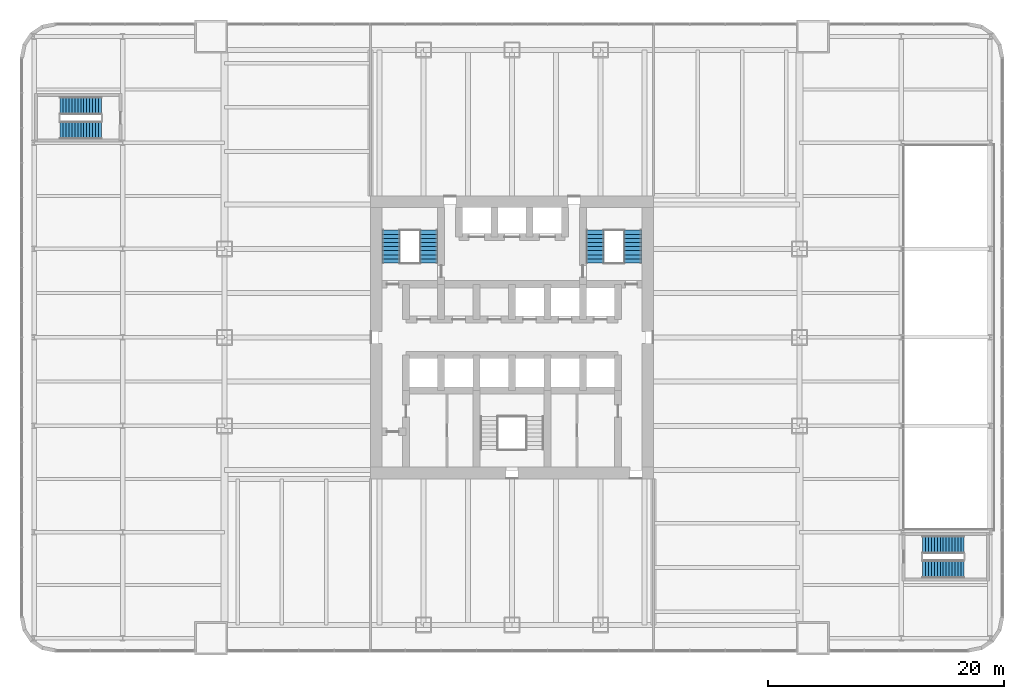
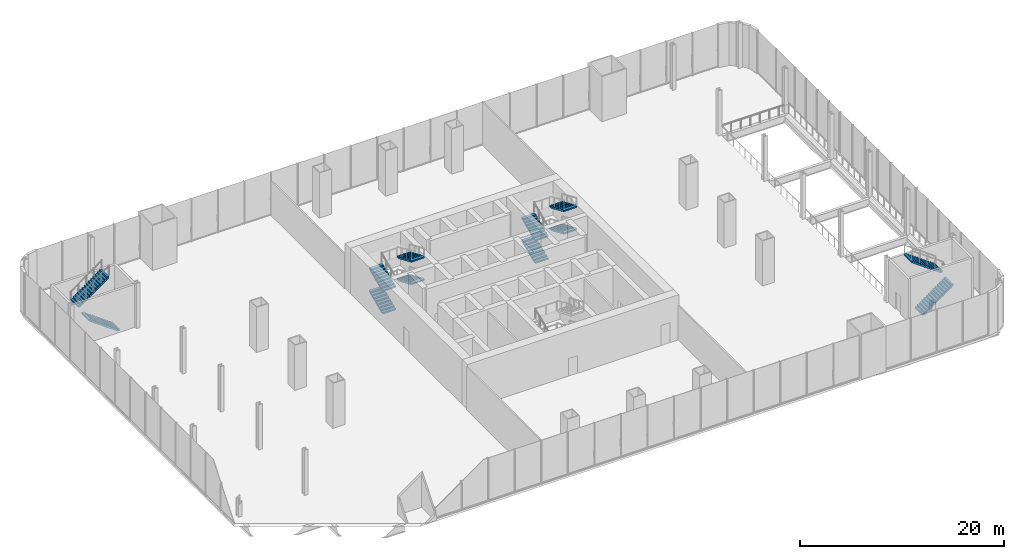
# One storey, part 14 of 16: 12 stair flights, 4 elements without a shape of their own.
"""IFC4 building model written with IfcOpenShell, lengths in metres."""

from ifc_helpers import new_model, si_unit, direction, frame, origin, place, context, subcontext, project, spatial, polyline, outline, extrude, material, type_object, element, aggregate, save


model = new_model("IFC4")

# Units and contexts
model_context = context("Model", 3, precision=1e-05, world=origin(), true_north=direction((0.0, 1.0)))
body_context = subcontext(model_context, "Body", "Model", "MODEL_VIEW")
ifc_project = project(units=[si_unit("LENGTHUNIT", "METRE"), si_unit("AREAUNIT", "SQUARE_METRE"), si_unit("VOLUMEUNIT", "CUBIC_METRE"), si_unit("PLANEANGLEUNIT", "RADIAN"), si_unit("MASSUNIT", "GRAM", prefix="KILO")], contexts=[model_context])

# Site, building, storey
site_placement = place(None, origin())
site = spatial("IfcSite", under=ifc_project, at=site_placement, CompositionType="ELEMENT")
building_placement = place(site_placement, origin())
building = spatial("IfcBuilding", under=site, at=building_placement, Name="Tarangal Relay Tower", CompositionType="ELEMENT")
storey_placement = place(building_placement, frame((0.0, 0.0, 12.60009765625)))
storey = spatial("IfcBuildingStorey", under=building, at=storey_placement, Name="L02", CompositionType="ELEMENT", Elevation=12.60009765625)

# Stair, stair flights
ifc_material = material(Name="Steel ASTM A992 stair flight", Category="steel")
stair_type_1 = type_object("IfcStairType", Name="Podium stair 1500", PredefinedType="HALF_TURN_STAIR", material=ifc_material)
stair_1_placement = place(storey_placement, origin())
stair_1 = element("IfcStair", 1, at=stair_1_placement, inside=storey, type_object=stair_type_1, Name="Stair ST-D L02", PredefinedType="HALF_TURN_STAIR")
stair_flight_type_1 = type_object("IfcStairFlightType", Name="Steel stair flight 1500, 15 risers 180 x 250", PredefinedType="STRAIGHT", material=ifc_material)
stair_flight_1_placement = place(storey_placement, frame((-34.800048828125, 17.550048828125, 0.0), z_axis=(0.0, 0.0, 1.0), x_axis=(-1.0, 0.0, 0.0)))
stair_flight_1 = element("IfcStairFlight", 2, at=stair_flight_1_placement, type_object=stair_flight_type_1, Name="ST-D flight 1", NumberOfRisers=15, NumberOfTreads=14, PredefinedType="STRAIGHT", RiserHeight=0.18, TreadLength=0.25, context=body_context, shape_type="SweptSolid", body=[
    extrude(outline(polyline([(0.0, 0.0), (0.0, 0.179931640625), (0.25, 0.179931640625), (0.25, 0.360107421875), (0.5, 0.360107421875), (0.5, 0.5400390625), (0.75, 0.5400390625), (0.75, 0.719970703125), (1.0, 0.719970703125), (1.0, 0.89990234375), (1.25, 0.89990234375), (1.25, 1.080078125), (1.5, 1.080078125), (1.5, 1.260009765625), (1.75, 1.260009765625), (1.75, 1.43994140625), (2.0, 1.43994140625), (2.0, 1.6201171875), (2.25, 1.6201171875), (2.25, 1.800048828125), (2.5, 1.800048828125), (2.5, 1.97998046875), (2.75, 1.97998046875), (2.75, 2.159912109375), (3.0, 2.159912109375), (3.0, 2.340087890625), (3.25, 2.340087890625), (3.25, 2.52001953125), (3.5, 2.52001953125), (3.5, 2.699951171875), (3.5, 2.335205078125), (0.256591796875, 0.0), (0.0, 0.0)])), frame((0.0, 0.75, 0.0), z_axis=(0.0, -1.0, 0.0), x_axis=(1.0, 0.0, 0.0)), (0.0, 0.0, 1.0), 1.5),
])
stair_flight_2_placement = place(storey_placement, frame((-38.300048828125, 19.64990234375, 2.699951171875), z_axis=(0.0, 0.0, 1.0), x_axis=(1.0, 0.0, 0.0)))
stair_flight_2 = element("IfcStairFlight", 3, at=stair_flight_2_placement, type_object=stair_flight_type_1, Name="ST-D flight 2", NumberOfRisers=15, NumberOfTreads=14, PredefinedType="STRAIGHT", RiserHeight=0.18, TreadLength=0.25, context=body_context, shape_type="SweptSolid", body=[
    extrude(outline(polyline([(0.0, 0.0), (0.0, 0.179931640625), (0.25, 0.179931640625), (0.25, 0.360107421875), (0.5, 0.360107421875), (0.5, 0.5400390625), (0.75, 0.5400390625), (0.75, 0.719970703125), (1.0, 0.719970703125), (1.0, 0.89990234375), (1.25, 0.89990234375), (1.25, 1.080078125), (1.5, 1.080078125), (1.5, 1.260009765625), (1.75, 1.260009765625), (1.75, 1.43994140625), (2.0, 1.43994140625), (2.0, 1.6201171875), (2.25, 1.6201171875), (2.25, 1.800048828125), (2.5, 1.800048828125), (2.5, 1.97998046875), (2.75, 1.97998046875), (2.75, 2.159912109375), (3.0, 2.159912109375), (3.0, 2.340087890625), (3.25, 2.340087890625), (3.25, 2.52001953125), (3.5, 2.52001953125), (3.5, 2.699951171875), (3.5, 2.335205078125), (0.256591796875, 0.0), (0.0, 0.0)])), frame((0.0, 0.75, 0.0), z_axis=(0.0, -1.0, 0.0), x_axis=(1.0, 0.0, 0.0)), (0.0, 0.0, 1.0), 1.5),
])
aggregate(stair_1, [stair_flight_1, stair_flight_2])

stair_2_placement = place(storey_placement, origin())
stair_2 = element("IfcStair", 4, at=stair_2_placement, inside=storey, type_object=stair_type_1, Name="Stair ST-E L02", PredefinedType="HALF_TURN_STAIR")
stair_flight_3_placement = place(storey_placement, frame((34.800048828125, -19.64990234375, 0.0), z_axis=(0.0, 0.0, 1.0), x_axis=(1.0, 0.0, 0.0)))
stair_flight_3 = element("IfcStairFlight", 5, at=stair_flight_3_placement, type_object=stair_flight_type_1, Name="ST-E flight 1", NumberOfRisers=15, NumberOfTreads=14, PredefinedType="STRAIGHT", RiserHeight=0.18, TreadLength=0.25, context=body_context, shape_type="SweptSolid", body=[
    extrude(outline(polyline([(0.0, 0.0), (0.0, 0.179931640625), (0.25, 0.179931640625), (0.25, 0.360107421875), (0.5, 0.360107421875), (0.5, 0.5400390625), (0.75, 0.5400390625), (0.75, 0.719970703125), (1.0, 0.719970703125), (1.0, 0.89990234375), (1.25, 0.89990234375), (1.25, 1.080078125), (1.5, 1.080078125), (1.5, 1.260009765625), (1.75, 1.260009765625), (1.75, 1.43994140625), (2.0, 1.43994140625), (2.0, 1.6201171875), (2.25, 1.6201171875), (2.25, 1.800048828125), (2.5, 1.800048828125), (2.5, 1.97998046875), (2.75, 1.97998046875), (2.75, 2.159912109375), (3.0, 2.159912109375), (3.0, 2.340087890625), (3.25, 2.340087890625), (3.25, 2.52001953125), (3.5, 2.52001953125), (3.5, 2.699951171875), (3.5, 2.335205078125), (0.256591796875, 0.0), (0.0, 0.0)])), frame((0.0, 0.75, 0.0), z_axis=(0.0, -1.0, 0.0), x_axis=(1.0, 0.0, 0.0)), (0.0, 0.0, 1.0), 1.5),
])
stair_flight_4_placement = place(storey_placement, frame((38.300048828125, -17.550048828125, 2.699951171875), z_axis=(0.0, 0.0, 1.0), x_axis=(-1.0, 0.0, 0.0)))
stair_flight_4 = element("IfcStairFlight", 6, at=stair_flight_4_placement, type_object=stair_flight_type_1, Name="ST-E flight 2", NumberOfRisers=15, NumberOfTreads=14, PredefinedType="STRAIGHT", RiserHeight=0.18, TreadLength=0.25, context=body_context, shape_type="SweptSolid", body=[
    extrude(outline(polyline([(0.0, 0.0), (0.0, 0.179931640625), (0.25, 0.179931640625), (0.25, 0.360107421875), (0.5, 0.360107421875), (0.5, 0.5400390625), (0.75, 0.5400390625), (0.75, 0.719970703125), (1.0, 0.719970703125), (1.0, 0.89990234375), (1.25, 0.89990234375), (1.25, 1.080078125), (1.5, 1.080078125), (1.5, 1.260009765625), (1.75, 1.260009765625), (1.75, 1.43994140625), (2.0, 1.43994140625), (2.0, 1.6201171875), (2.25, 1.6201171875), (2.25, 1.800048828125), (2.5, 1.800048828125), (2.5, 1.97998046875), (2.75, 1.97998046875), (2.75, 2.159912109375), (3.0, 2.159912109375), (3.0, 2.340087890625), (3.25, 2.340087890625), (3.25, 2.52001953125), (3.5, 2.52001953125), (3.5, 2.699951171875), (3.5, 2.335205078125), (0.256591796875, 0.0), (0.0, 0.0)])), frame((0.0, 0.75, 0.0), z_axis=(0.0, -1.0, 0.0), x_axis=(1.0, 0.0, 0.0)), (0.0, 0.0, 1.0), 1.5),
])
aggregate(stair_2, [stair_flight_3, stair_flight_4])

stair_type_2 = type_object("IfcStairType", Name="Core stair 1500", PredefinedType="HALF_TURN_STAIR", material=ifc_material)
stair_3_placement = place(storey_placement, origin())
stair_3 = element("IfcStair", 7, at=stair_3_placement, inside=storey, type_object=stair_type_2, Name="Stair ST-A L02", PredefinedType="HALF_TURN_STAIR")
stair_flight_type_2 = type_object("IfcStairFlightType", Name="Steel stair flight 1500, 9 risers 150 x 348", PredefinedType="STRAIGHT", material=ifc_material)
stair_flight_5_placement = place(storey_placement, frame((-10.25, 6.300048828125, 0.0), z_axis=(0.0, 0.0, 1.0), x_axis=(0.0, 1.0, 0.0)))
stair_flight_5 = element("IfcStairFlight", 8, at=stair_flight_5_placement, type_object=stair_flight_type_2, Name="ST-A flight 1", NumberOfRisers=9, NumberOfTreads=8, PredefinedType="STRAIGHT", RiserHeight=0.15, TreadLength=0.348, context=body_context, shape_type="SweptSolid", body=[
    extrude(outline(polyline([(0.0, 0.0), (0.0, 0.14990234375), (0.347900390625, 0.14990234375), (0.347900390625, 0.300048828125), (0.696044921875, 0.300048828125), (0.696044921875, 0.449951171875), (1.0439453125, 0.449951171875), (1.0439453125, 0.60009765625), (1.39208984375, 0.60009765625), (1.39208984375, 0.75), (1.739990234375, 0.75), (1.739990234375, 0.89990234375), (2.087890625, 0.89990234375), (2.087890625, 1.050048828125), (2.43603515625, 1.050048828125), (2.43603515625, 1.199951171875), (2.783935546875, 1.199951171875), (2.783935546875, 1.35009765625), (2.783935546875, 1.036865234375), (0.378662109375, 0.0), (0.0, 0.0)])), frame((0.0, 0.75, 0.0), z_axis=(0.0, -1.0, 0.0), x_axis=(1.0, 0.0, 0.0)), (0.0, 0.0, 1.0), 1.5),
])
stair_flight_6_placement = place(storey_placement, frame((-7.050048828125, 9.083984375, 1.349853515625), z_axis=(0.0, 0.0, 1.0), x_axis=(0.0, -1.0, 0.0)))
stair_flight_6 = element("IfcStairFlight", 9, at=stair_flight_6_placement, type_object=stair_flight_type_2, Name="ST-A flight 2", NumberOfRisers=9, NumberOfTreads=8, PredefinedType="STRAIGHT", RiserHeight=0.15, TreadLength=0.348, context=body_context, shape_type="SweptSolid", body=[
    extrude(outline(polyline([(0.0, 0.0), (0.0, 0.14990234375), (0.347900390625, 0.14990234375), (0.347900390625, 0.300048828125), (0.696044921875, 0.300048828125), (0.696044921875, 0.449951171875), (1.0439453125, 0.449951171875), (1.0439453125, 0.60009765625), (1.39208984375, 0.60009765625), (1.39208984375, 0.75), (1.739990234375, 0.75), (1.739990234375, 0.89990234375), (2.087890625, 0.89990234375), (2.087890625, 1.050048828125), (2.43603515625, 1.050048828125), (2.43603515625, 1.199951171875), (2.783935546875, 1.199951171875), (2.783935546875, 1.35009765625), (2.783935546875, 1.036865234375), (0.378662109375, 0.0), (0.0, 0.0)])), frame((0.0, 0.75, 0.0), z_axis=(0.0, -1.0, 0.0), x_axis=(1.0, 0.0, 0.0)), (0.0, 0.0, 1.0), 1.5),
])
stair_flight_7_placement = place(storey_placement, frame((-10.25, 6.300048828125, 2.699951171875), z_axis=(0.0, 0.0, 1.0), x_axis=(0.0, 1.0, 0.0)))
stair_flight_7 = element("IfcStairFlight", 10, at=stair_flight_7_placement, type_object=stair_flight_type_2, Name="ST-A flight 3", NumberOfRisers=9, NumberOfTreads=8, PredefinedType="STRAIGHT", RiserHeight=0.15, TreadLength=0.348, context=body_context, shape_type="SweptSolid", body=[
    extrude(outline(polyline([(0.0, 0.0), (0.0, 0.14990234375), (0.347900390625, 0.14990234375), (0.347900390625, 0.300048828125), (0.696044921875, 0.300048828125), (0.696044921875, 0.449951171875), (1.0439453125, 0.449951171875), (1.0439453125, 0.60009765625), (1.39208984375, 0.60009765625), (1.39208984375, 0.75), (1.739990234375, 0.75), (1.739990234375, 0.89990234375), (2.087890625, 0.89990234375), (2.087890625, 1.050048828125), (2.43603515625, 1.050048828125), (2.43603515625, 1.199951171875), (2.783935546875, 1.199951171875), (2.783935546875, 1.35009765625), (2.783935546875, 1.036865234375), (0.378662109375, 0.0), (0.0, 0.0)])), frame((0.0, 0.75, 0.0), z_axis=(0.0, -1.0, 0.0), x_axis=(1.0, 0.0, 0.0)), (0.0, 0.0, 1.0), 1.5),
])
stair_flight_8_placement = place(storey_placement, frame((-7.050048828125, 9.083984375, 4.0498046875), z_axis=(0.0, 0.0, 1.0), x_axis=(0.0, -1.0, 0.0)))
stair_flight_8 = element("IfcStairFlight", 11, at=stair_flight_8_placement, type_object=stair_flight_type_2, Name="ST-A flight 4", NumberOfRisers=9, NumberOfTreads=8, PredefinedType="STRAIGHT", RiserHeight=0.15, TreadLength=0.348, context=body_context, shape_type="SweptSolid", body=[
    extrude(outline(polyline([(0.0, 0.0), (0.0, 0.14990234375), (0.347900390625, 0.14990234375), (0.347900390625, 0.300048828125), (0.696044921875, 0.300048828125), (0.696044921875, 0.449951171875), (1.0439453125, 0.449951171875), (1.0439453125, 0.60009765625), (1.39208984375, 0.60009765625), (1.39208984375, 0.75), (1.739990234375, 0.75), (1.739990234375, 0.89990234375), (2.087890625, 0.89990234375), (2.087890625, 1.050048828125), (2.43603515625, 1.050048828125), (2.43603515625, 1.199951171875), (2.783935546875, 1.199951171875), (2.783935546875, 1.35009765625), (2.783935546875, 1.036865234375), (0.378662109375, 0.0), (0.0, 0.0)])), frame((0.0, 0.75, 0.0), z_axis=(0.0, -1.0, 0.0), x_axis=(1.0, 0.0, 0.0)), (0.0, 0.0, 1.0), 1.5),
])
aggregate(stair_3, [stair_flight_5, stair_flight_6, stair_flight_7, stair_flight_8])

stair_4_placement = place(storey_placement, origin())
stair_4 = element("IfcStair", 12, at=stair_4_placement, inside=storey, type_object=stair_type_2, Name="Stair ST-B L02", PredefinedType="HALF_TURN_STAIR")
stair_flight_9_placement = place(storey_placement, frame((7.050048828125, 6.300048828125, 0.0), z_axis=(0.0, 0.0, 1.0), x_axis=(0.0, 1.0, 0.0)))
stair_flight_9 = element("IfcStairFlight", 13, at=stair_flight_9_placement, type_object=stair_flight_type_2, Name="ST-B flight 1", NumberOfRisers=9, NumberOfTreads=8, PredefinedType="STRAIGHT", RiserHeight=0.15, TreadLength=0.348, context=body_context, shape_type="SweptSolid", body=[
    extrude(outline(polyline([(0.0, 0.0), (0.0, 0.14990234375), (0.347900390625, 0.14990234375), (0.347900390625, 0.300048828125), (0.696044921875, 0.300048828125), (0.696044921875, 0.449951171875), (1.0439453125, 0.449951171875), (1.0439453125, 0.60009765625), (1.39208984375, 0.60009765625), (1.39208984375, 0.75), (1.739990234375, 0.75), (1.739990234375, 0.89990234375), (2.087890625, 0.89990234375), (2.087890625, 1.050048828125), (2.43603515625, 1.050048828125), (2.43603515625, 1.199951171875), (2.783935546875, 1.199951171875), (2.783935546875, 1.35009765625), (2.783935546875, 1.036865234375), (0.378662109375, 0.0), (0.0, 0.0)])), frame((0.0, 0.75, 0.0), z_axis=(0.0, -1.0, 0.0), x_axis=(1.0, 0.0, 0.0)), (0.0, 0.0, 1.0), 1.5),
])
stair_flight_10_placement = place(storey_placement, frame((10.25, 9.083984375, 1.349853515625), z_axis=(0.0, 0.0, 1.0), x_axis=(0.0, -1.0, 0.0)))
stair_flight_10 = element("IfcStairFlight", 14, at=stair_flight_10_placement, type_object=stair_flight_type_2, Name="ST-B flight 2", NumberOfRisers=9, NumberOfTreads=8, PredefinedType="STRAIGHT", RiserHeight=0.15, TreadLength=0.348, context=body_context, shape_type="SweptSolid", body=[
    extrude(outline(polyline([(0.0, 0.0), (0.0, 0.14990234375), (0.347900390625, 0.14990234375), (0.347900390625, 0.300048828125), (0.696044921875, 0.300048828125), (0.696044921875, 0.449951171875), (1.0439453125, 0.449951171875), (1.0439453125, 0.60009765625), (1.39208984375, 0.60009765625), (1.39208984375, 0.75), (1.739990234375, 0.75), (1.739990234375, 0.89990234375), (2.087890625, 0.89990234375), (2.087890625, 1.050048828125), (2.43603515625, 1.050048828125), (2.43603515625, 1.199951171875), (2.783935546875, 1.199951171875), (2.783935546875, 1.35009765625), (2.783935546875, 1.036865234375), (0.378662109375, 0.0), (0.0, 0.0)])), frame((0.0, 0.75, 0.0), z_axis=(0.0, -1.0, 0.0), x_axis=(1.0, 0.0, 0.0)), (0.0, 0.0, 1.0), 1.5),
])
stair_flight_11_placement = place(storey_placement, frame((7.050048828125, 6.300048828125, 2.699951171875), z_axis=(0.0, 0.0, 1.0), x_axis=(0.0, 1.0, 0.0)))
stair_flight_11 = element("IfcStairFlight", 15, at=stair_flight_11_placement, type_object=stair_flight_type_2, Name="ST-B flight 3", NumberOfRisers=9, NumberOfTreads=8, PredefinedType="STRAIGHT", RiserHeight=0.15, TreadLength=0.348, context=body_context, shape_type="SweptSolid", body=[
    extrude(outline(polyline([(0.0, 0.0), (0.0, 0.14990234375), (0.347900390625, 0.14990234375), (0.347900390625, 0.300048828125), (0.696044921875, 0.300048828125), (0.696044921875, 0.449951171875), (1.0439453125, 0.449951171875), (1.0439453125, 0.60009765625), (1.39208984375, 0.60009765625), (1.39208984375, 0.75), (1.739990234375, 0.75), (1.739990234375, 0.89990234375), (2.087890625, 0.89990234375), (2.087890625, 1.050048828125), (2.43603515625, 1.050048828125), (2.43603515625, 1.199951171875), (2.783935546875, 1.199951171875), (2.783935546875, 1.35009765625), (2.783935546875, 1.036865234375), (0.378662109375, 0.0), (0.0, 0.0)])), frame((0.0, 0.75, 0.0), z_axis=(0.0, -1.0, 0.0), x_axis=(1.0, 0.0, 0.0)), (0.0, 0.0, 1.0), 1.5),
])
stair_flight_12_placement = place(storey_placement, frame((10.25, 9.083984375, 4.0498046875), z_axis=(0.0, 0.0, 1.0), x_axis=(0.0, -1.0, 0.0)))
stair_flight_12 = element("IfcStairFlight", 16, at=stair_flight_12_placement, type_object=stair_flight_type_2, Name="ST-B flight 4", NumberOfRisers=9, NumberOfTreads=8, PredefinedType="STRAIGHT", RiserHeight=0.15, TreadLength=0.348, context=body_context, shape_type="SweptSolid", body=[
    extrude(outline(polyline([(0.0, 0.0), (0.0, 0.14990234375), (0.347900390625, 0.14990234375), (0.347900390625, 0.300048828125), (0.696044921875, 0.300048828125), (0.696044921875, 0.449951171875), (1.0439453125, 0.449951171875), (1.0439453125, 0.60009765625), (1.39208984375, 0.60009765625), (1.39208984375, 0.75), (1.739990234375, 0.75), (1.739990234375, 0.89990234375), (2.087890625, 0.89990234375), (2.087890625, 1.050048828125), (2.43603515625, 1.050048828125), (2.43603515625, 1.199951171875), (2.783935546875, 1.199951171875), (2.783935546875, 1.35009765625), (2.783935546875, 1.036865234375), (0.378662109375, 0.0), (0.0, 0.0)])), frame((0.0, 0.75, 0.0), z_axis=(0.0, -1.0, 0.0), x_axis=(1.0, 0.0, 0.0)), (0.0, 0.0, 1.0), 1.5),
])
aggregate(stair_4, [stair_flight_9, stair_flight_10, stair_flight_11, stair_flight_12])

save(model, "model.ifc")
